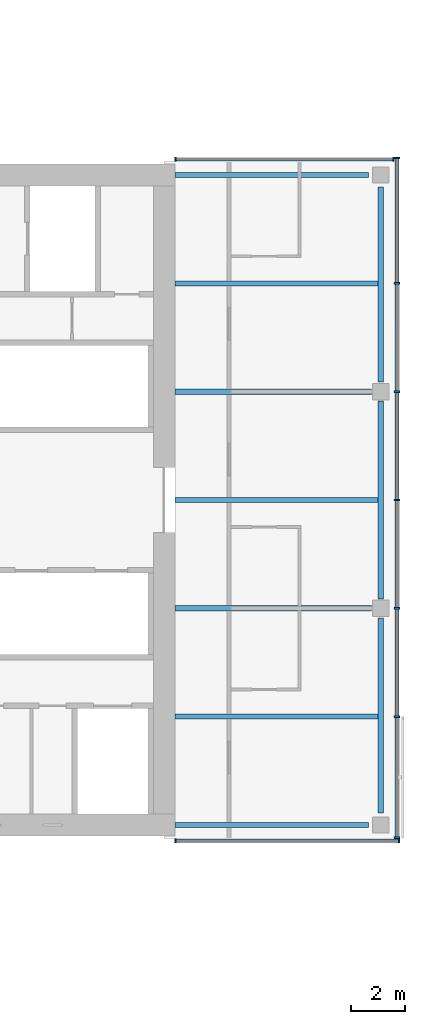
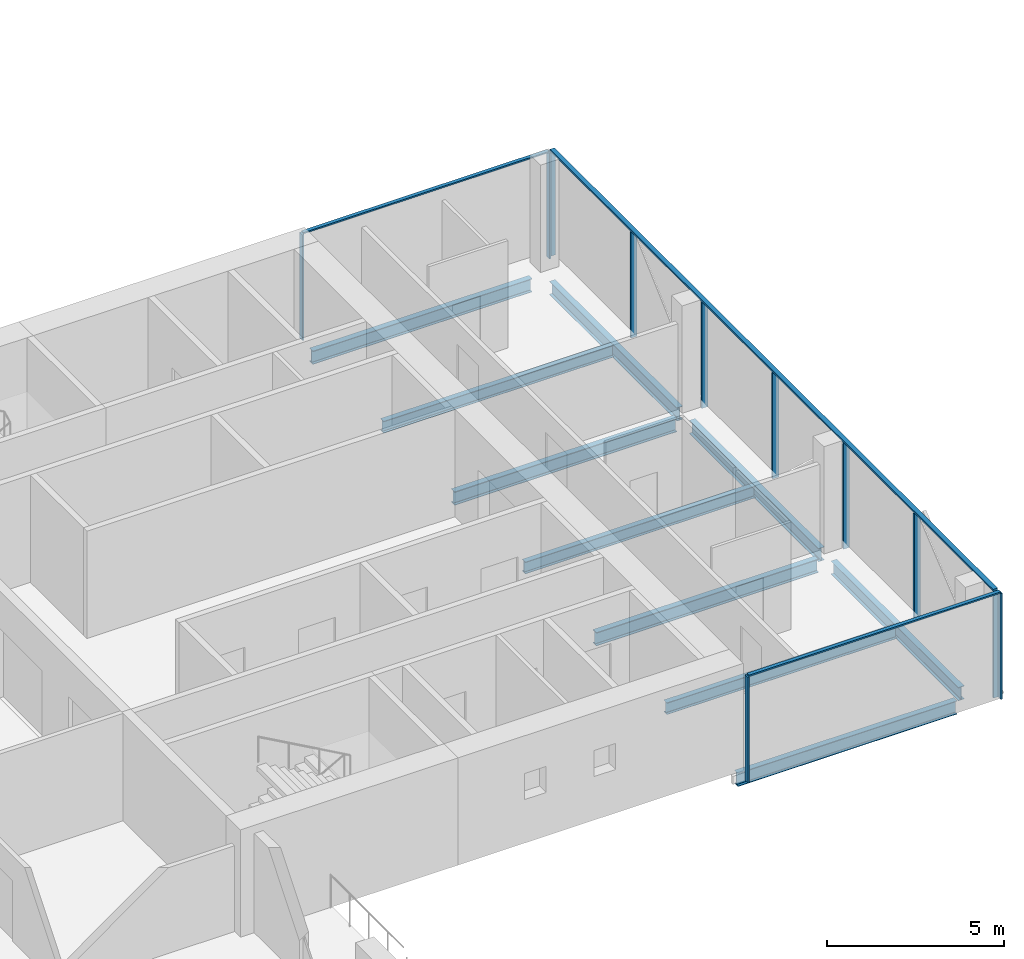
# One storey, part 10 of 25: 14 members, 10 beams, 3 elements without a shape of their own.
"""IFC4 building model written with IfcOpenShell, lengths in metres."""

from ifc_helpers import new_model, si_unit, direction, frame, origin, origin_2d, place, context, subcontext, project, spatial, rectangle, i_section, extrude, material, material_profile, profile_set, type_object, element, aggregate, save


model = new_model("IFC4")

# Units and contexts
model_context = context("Model", 3, precision=1e-05, world=origin(), true_north=direction((0.0, 1.0)))
body_context = subcontext(model_context, "Body", "Model", "MODEL_VIEW")
ifc_project = project(units=[si_unit("LENGTHUNIT", "METRE"), si_unit("AREAUNIT", "SQUARE_METRE"), si_unit("VOLUMEUNIT", "CUBIC_METRE"), si_unit("PLANEANGLEUNIT", "RADIAN"), si_unit("MASSUNIT", "GRAM", prefix="KILO")], contexts=[model_context])

# Site, building, storey
site_placement = place(None, origin())
site = spatial("IfcSite", under=ifc_project, at=site_placement, CompositionType="ELEMENT")
building_placement = place(site_placement, origin())
building = spatial("IfcBuilding", under=site, at=building_placement, Name="Crosswind Convention Tower", CompositionType="ELEMENT")
storey_placement = place(building_placement, frame((0.0, 0.0, 97.89990234375)))
storey = spatial("IfcBuildingStorey", under=building, at=storey_placement, Name="L19", CompositionType="ELEMENT", Elevation=97.89990234375)

# Beams
ifc_material_1 = material(Name="Steel S355", Category="steel")
ifc_material_profile_1 = material_profile(ifc_material_1, i_section(OverallWidth=0.1904296875, OverallDepth=0.457275390625, WebThickness=0.009033203125, FlangeThickness=0.014404296875, FilletRadius=0.01025390625, at=origin_2d()), Name="UB 457x191x75")
ifc_profile_set_1 = profile_set([ifc_material_profile_1], Name="Steel S355")
beam_type_1 = type_object("IfcBeamType", Name="Edge beam UB 457x191x75", PredefinedType="SPANDREL", material=ifc_profile_set_1)
for number, where, z_axis, x_axis, name in (
    (1, (153.39990234375, 88.0, -0.508544921875), (1.0, 0.0, 0.0), (0.0, 1.0, 0.0), "B17 L19 edge beam 24"),
    (2, (153.39990234375, 112.0, -0.508544921875), (1.0, 0.0, 0.0), (0.0, 1.0, 0.0), "B17 L19 edge beam 25"),
):
    element("IfcBeam", number, at=place(storey_placement, frame(where, z_axis=z_axis, x_axis=x_axis)), inside=storey, type_object=beam_type_1, Name=name, PredefinedType="SPANDREL", context=body_context, shape_type="SweptSolid", body=[
        extrude(i_section(OverallWidth=0.1904296875, OverallDepth=0.457275390625, WebThickness=0.009033203125, FlangeThickness=0.014404296875, FilletRadius=0.01025390625, at=origin_2d()), origin(), (0.0, 0.0, 1.0), 7.150146484375),
    ])
beam_1_placement = place(storey_placement, frame((161.0, 88.449951171875, -0.508544921875), z_axis=(0.0, 1.0, 0.0), x_axis=(-1.0, 0.0, 0.0)))
element("IfcBeam", 3, at=beam_1_placement, inside=storey, type_object=beam_type_1, Name="B17 L19 edge beam 26", PredefinedType="SPANDREL", context=body_context, shape_type="SweptSolid", body=[
    extrude(i_section(OverallWidth=0.1904296875, OverallDepth=0.457275390625, WebThickness=0.009033203125, FlangeThickness=0.014404296875, FilletRadius=0.01025390625, at=origin_2d()), origin(), (0.0, 0.0, 1.0), 7.199951171875),
])
beam_2_placement = place(storey_placement, frame((161.0, 96.35009765625, -0.508544921875), z_axis=(0.0, 1.0, 0.0), x_axis=(-1.0, 0.0, 0.0)))
element("IfcBeam", 4, at=beam_2_placement, inside=storey, type_object=beam_type_1, Name="B17 L19 edge beam 27", PredefinedType="SPANDREL", context=body_context, shape_type="SweptSolid", body=[
    extrude(i_section(OverallWidth=0.1904296875, OverallDepth=0.457275390625, WebThickness=0.009033203125, FlangeThickness=0.014404296875, FilletRadius=0.01025390625, at=origin_2d()), origin(), (0.0, 0.0, 1.0), 7.2998046875),
])
beam_3_placement = place(storey_placement, frame((161.0, 104.35009765625, -0.508544921875), z_axis=(0.0, 1.0, 0.0), x_axis=(-1.0, 0.0, 0.0)))
element("IfcBeam", 5, at=beam_3_placement, inside=storey, type_object=beam_type_1, Name="B17 L19 edge beam 28", PredefinedType="SPANDREL", context=body_context, shape_type="SweptSolid", body=[
    extrude(i_section(OverallWidth=0.1904296875, OverallDepth=0.457275390625, WebThickness=0.009033203125, FlangeThickness=0.014404296875, FilletRadius=0.01025390625, at=origin_2d()), origin(), (0.0, 0.0, 1.0), 7.199951171875),
])
ifc_material_profile_2 = material_profile(ifc_material_1, i_section(OverallWidth=0.19189453125, OverallDepth=0.463623046875, WebThickness=0.010498046875, FlangeThickness=0.017578125, FilletRadius=0.01025390625, at=origin_2d()), Name="UB 457x191x90")
ifc_profile_set_2 = profile_set([ifc_material_profile_2], Name="Steel S355")
beam_type_2 = type_object("IfcBeamType", Name="Girder at core wall UB 457x191x90", PredefinedType="BEAM", material=ifc_profile_set_2)
for number, where, z_axis, x_axis, name in (
    (6, (153.39990234375, 96.0, -0.51171875), (1.0, 0.0, 0.0), (0.0, 1.0, 0.0), "B24 L19 girder at core wall 11"),
    (7, (153.39990234375, 104.0, -0.51171875), (1.0, 0.0, 0.0), (0.0, 1.0, 0.0), "B24 L19 girder at core wall 12"),
):
    element("IfcBeam", number, at=place(storey_placement, frame(where, z_axis=z_axis, x_axis=x_axis)), inside=storey, type_object=beam_type_2, Name=name, PredefinedType="BEAM", context=body_context, shape_type="SweptSolid", body=[
        extrude(i_section(OverallWidth=0.19189453125, OverallDepth=0.463623046875, WebThickness=0.010498046875, FlangeThickness=0.017578125, FilletRadius=0.01025390625, at=origin_2d()), origin(), (0.0, 0.0, 1.0), 7.25),
    ])

# Curtain wall, members
ifc_material_2 = material(Name="Aluminium unitised curtain wall", Category="aluminium")
curtain_wall_type_1 = type_object("IfcCurtainWallType", Name="CORE END SLOT WALL 160", PredefinedType="USERDEFINED", material=ifc_material_2)
curtain_wall_1_placement = place(storey_placement, origin())
curtain_wall_1 = element("IfcCurtainWall", 8, at=curtain_wall_1_placement, inside=storey, type_object=curtain_wall_type_1, Name="CW6 L19 E-N.1-1 slot", ObjectType="UNITISED", PredefinedType="USERDEFINED")
ifc_material_3 = material(Name="Aluminium mullion", Category="aluminium")
ifc_material_profile_3 = material_profile(ifc_material_3, rectangle(XDim=0.159912109375, YDim=0.050048828125, at=origin_2d()), Name="AL 160X50")
ifc_profile_set_3 = profile_set([ifc_material_profile_3], Name="Aluminium mullion")
member_type_1 = type_object("IfcMemberType", Name="MULLION 50X160", PredefinedType="MULLION", material=ifc_profile_set_3)
member_1_placement = place(storey_placement, frame((161.47509765625, 112.580078125, -0.27978515625), z_axis=(0.0, 0.0, 1.0), x_axis=(0.0, 1.0, 0.0)))
member_1 = element("IfcMember", 9, at=member_1_placement, type_object=member_type_1, Name="CW6 mullion 1", PredefinedType="MULLION", context=body_context, shape_type="SweptSolid", body=[
    extrude(rectangle(XDim=0.159912109375, YDim=0.050048828125, at=origin_2d()), origin(), (0.0, 0.0, 1.0), 3.64990234375),
])
member_2_placement = place(storey_placement, frame((153.425048828125, 112.580078125, -0.27978515625), z_axis=(0.0, 0.0, 1.0), x_axis=(0.0, 1.0, 0.0)))
member_2 = element("IfcMember", 10, at=member_2_placement, type_object=member_type_1, Name="CW6 mullion 2", PredefinedType="MULLION", context=body_context, shape_type="SweptSolid", body=[
    extrude(rectangle(XDim=0.159912109375, YDim=0.050048828125, at=origin_2d()), origin(), (0.0, 0.0, 1.0), 3.64990234375),
])

curtain_wall_2_placement = place(storey_placement, origin())
curtain_wall_2 = element("IfcCurtainWall", 11, at=curtain_wall_2_placement, inside=storey, type_object=curtain_wall_type_1, Name="CW6 L19 E-S.2-1 slot", ObjectType="UNITISED", PredefinedType="USERDEFINED")
member_3_placement = place(storey_placement, frame((153.425048828125, 87.419921875, -0.27978515625), z_axis=(0.0, 0.0, 1.0), x_axis=(0.0, -1.0, 0.0)))
member_3 = element("IfcMember", 12, at=member_3_placement, type_object=member_type_1, Name="CW6 mullion 1", PredefinedType="MULLION", context=body_context, shape_type="SweptSolid", body=[
    extrude(rectangle(XDim=0.159912109375, YDim=0.050048828125, at=origin_2d()), origin(), (0.0, 0.0, 1.0), 3.64990234375),
])
member_4_placement = place(storey_placement, frame((161.675048828125, 87.419921875, -0.27978515625), z_axis=(0.0, 0.0, 1.0), x_axis=(0.0, -1.0, 0.0)))
member_4 = element("IfcMember", 13, at=member_4_placement, type_object=member_type_1, Name="CW6 mullion 2", PredefinedType="MULLION", context=body_context, shape_type="SweptSolid", body=[
    extrude(rectangle(XDim=0.159912109375, YDim=0.050048828125, at=origin_2d()), origin(), (0.0, 0.0, 1.0), 3.64990234375),
])

curtain_wall_type_2 = type_object("IfcCurtainWallType", Name="HOTEL UNITISED WALL 200", PredefinedType="USERDEFINED", material=ifc_material_2)
curtain_wall_3_placement = place(storey_placement, origin())
curtain_wall_3 = element("IfcCurtainWall", 14, at=curtain_wall_3_placement, inside=storey, type_object=curtain_wall_type_2, Name="CW2 L19 E-TIP 1", ObjectType="UNITISED", PredefinedType="USERDEFINED")
ifc_material_profile_4 = material_profile(ifc_material_3, rectangle(XDim=0.199951171875, YDim=0.06494140625, at=origin_2d()), Name="AL 200X65")
ifc_profile_set_4 = profile_set([ifc_material_profile_4], Name="Aluminium mullion")
member_type_2 = type_object("IfcMemberType", Name="MULLION 65X200", PredefinedType="MULLION", material=ifc_profile_set_4)
member_5_placement = place(storey_placement, frame((161.60009765625, 87.532470703125, -0.27978515625), z_axis=(0.0, 0.0, 1.0), x_axis=(1.0, 0.0, 0.0)))
member_5 = element("IfcMember", 15, at=member_5_placement, type_object=member_type_2, Name="CW2 mullion 1", PredefinedType="MULLION", context=body_context, shape_type="SweptSolid", body=[
    extrude(rectangle(XDim=0.199951171875, YDim=0.06494140625, at=origin_2d()), origin(), (0.0, 0.0, 1.0), 3.634765625),
])
member_6_placement = place(storey_placement, frame((161.60009765625, 92.0, -0.27978515625), z_axis=(0.0, 0.0, 1.0), x_axis=(1.0, 0.0, 0.0)))
member_6 = element("IfcMember", 16, at=member_6_placement, type_object=member_type_2, Name="CW2 mullion 2", PredefinedType="MULLION", context=body_context, shape_type="SweptSolid", body=[
    extrude(rectangle(XDim=0.199951171875, YDim=0.06494140625, at=origin_2d()), origin(), (0.0, 0.0, 1.0), 3.634765625),
])
member_7_placement = place(storey_placement, frame((161.60009765625, 96.0, -0.27978515625), z_axis=(0.0, 0.0, 1.0), x_axis=(1.0, 0.0, 0.0)))
member_7 = element("IfcMember", 17, at=member_7_placement, type_object=member_type_2, Name="CW2 mullion 3", PredefinedType="MULLION", context=body_context, shape_type="SweptSolid", body=[
    extrude(rectangle(XDim=0.199951171875, YDim=0.06494140625, at=origin_2d()), origin(), (0.0, 0.0, 1.0), 3.634765625),
])
member_8_placement = place(storey_placement, frame((161.60009765625, 100.0, -0.27978515625), z_axis=(0.0, 0.0, 1.0), x_axis=(1.0, 0.0, 0.0)))
member_8 = element("IfcMember", 18, at=member_8_placement, type_object=member_type_2, Name="CW2 mullion 4", PredefinedType="MULLION", context=body_context, shape_type="SweptSolid", body=[
    extrude(rectangle(XDim=0.199951171875, YDim=0.06494140625, at=origin_2d()), origin(), (0.0, 0.0, 1.0), 3.634765625),
])
member_9_placement = place(storey_placement, frame((161.60009765625, 104.0, -0.27978515625), z_axis=(0.0, 0.0, 1.0), x_axis=(1.0, 0.0, 0.0)))
member_9 = element("IfcMember", 19, at=member_9_placement, type_object=member_type_2, Name="CW2 mullion 5", PredefinedType="MULLION", context=body_context, shape_type="SweptSolid", body=[
    extrude(rectangle(XDim=0.199951171875, YDim=0.06494140625, at=origin_2d()), origin(), (0.0, 0.0, 1.0), 3.634765625),
])
member_10_placement = place(storey_placement, frame((161.60009765625, 108.0, -0.27978515625), z_axis=(0.0, 0.0, 1.0), x_axis=(1.0, 0.0, 0.0)))
member_10 = element("IfcMember", 20, at=member_10_placement, type_object=member_type_2, Name="CW2 mullion 6", PredefinedType="MULLION", context=body_context, shape_type="SweptSolid", body=[
    extrude(rectangle(XDim=0.199951171875, YDim=0.06494140625, at=origin_2d()), origin(), (0.0, 0.0, 1.0), 3.634765625),
])
member_11_placement = place(storey_placement, frame((161.60009765625, 112.62744140625, -0.27978515625), z_axis=(0.0, 0.0, 1.0), x_axis=(1.0, 0.0, 0.0)))
member_11 = element("IfcMember", 21, at=member_11_placement, type_object=member_type_2, Name="CW2 mullion 7", PredefinedType="MULLION", context=body_context, shape_type="SweptSolid", body=[
    extrude(rectangle(XDim=0.199951171875, YDim=0.06494140625, at=origin_2d()), origin(), (0.0, 0.0, 1.0), 3.634765625),
])

# Beams
ifc_material_profile_5 = material_profile(ifc_material_1, i_section(OverallWidth=0.177734375, OverallDepth=0.406494140625, WebThickness=0.0078125, FlangeThickness=0.0126953125, FilletRadius=0.01025390625, at=origin_2d()), Name="UB 406x178x60")
ifc_profile_set_5 = profile_set([ifc_material_profile_5], Name="Steel S355")
beam_type_3 = type_object("IfcBeamType", Name="Secondary beam UB 406x178x60", PredefinedType="JOIST", material=ifc_profile_set_5)
for number, where, z_axis, x_axis, name in (
    (22, (153.39990234375, 92.0, -0.483154296875), (1.0, 0.0, 0.0), (0.0, 1.0, 0.0), "B10 L19 secondary beam 31"),
    (23, (153.39990234375, 100.0, -0.483154296875), (1.0, 0.0, 0.0), (0.0, 1.0, 0.0), "B10 L19 secondary beam 32"),
    (24, (153.39990234375, 108.0, -0.483154296875), (1.0, 0.0, 0.0), (0.0, 1.0, 0.0), "B10 L19 secondary beam 33"),
):
    element("IfcBeam", number, at=place(storey_placement, frame(where, z_axis=z_axis, x_axis=x_axis)), inside=storey, type_object=beam_type_3, Name=name, PredefinedType="JOIST", context=body_context, shape_type="SweptSolid", body=[
        extrude(i_section(OverallWidth=0.177734375, OverallDepth=0.406494140625, WebThickness=0.0078125, FlangeThickness=0.0126953125, FilletRadius=0.01025390625, at=origin_2d()), origin(), (0.0, 0.0, 1.0), 7.5048828125),
    ])

# Member
ifc_material_4 = material(Name="Aluminium transom", Category="aluminium")
ifc_material_profile_6 = material_profile(ifc_material_4, rectangle(XDim=0.1201171875, YDim=0.050048828125, at=origin_2d()), Name="AL 120X50")
ifc_profile_set_6 = profile_set([ifc_material_profile_6], Name="Aluminium transom")
member_type_3 = type_object("IfcMemberType", Name="TRANSOM 50X120", PredefinedType="USERDEFINED", material=ifc_profile_set_6)
member_12_placement = place(storey_placement, frame((161.449951171875, 112.580078125, 3.39501953125), z_axis=(-1.0, 0.0, 0.0), x_axis=(0.0, -1.0, 0.0)))
member_12 = element("IfcMember", 25, at=member_12_placement, type_object=member_type_3, Name="CW6 transom", ObjectType="TRANSOM", PredefinedType="USERDEFINED", context=body_context, shape_type="SweptSolid", body=[
    extrude(rectangle(XDim=0.1201171875, YDim=0.050048828125, at=origin_2d()), origin(), (0.0, 0.0, 1.0), 8.0),
])

aggregate(curtain_wall_1, [member_1, member_2, member_12])

member_13_placement = place(storey_placement, frame((153.449951171875, 87.419921875, 3.39501953125), z_axis=(1.0, 0.0, 0.0), x_axis=(0.0, 1.0, 0.0)))
member_13 = element("IfcMember", 26, at=member_13_placement, type_object=member_type_3, Name="CW6 transom", ObjectType="TRANSOM", PredefinedType="USERDEFINED", context=body_context, shape_type="SweptSolid", body=[
    extrude(rectangle(XDim=0.1201171875, YDim=0.050048828125, at=origin_2d()), origin(), (0.0, 0.0, 1.0), 8.199951171875),
])

aggregate(curtain_wall_2, [member_3, member_4, member_13])

ifc_material_profile_7 = material_profile(ifc_material_4, rectangle(XDim=0.14990234375, YDim=0.06494140625, at=origin_2d()), Name="AL 150X65")
ifc_profile_set_7 = profile_set([ifc_material_profile_7], Name="Aluminium transom")
member_type_4 = type_object("IfcMemberType", Name="TRANSOM 65X150", PredefinedType="USERDEFINED", material=ifc_profile_set_7)
member_14_placement = place(storey_placement, frame((161.60009765625, 87.56494140625, 3.3876953125), z_axis=(0.0, 1.0, 0.0), x_axis=(-1.0, 0.0, 0.0)))
member_14 = element("IfcMember", 27, at=member_14_placement, type_object=member_type_4, Name="CW2 transom", ObjectType="TRANSOM", PredefinedType="USERDEFINED", context=body_context, shape_type="SweptSolid", body=[
    extrude(rectangle(XDim=0.14990234375, YDim=0.06494140625, at=origin_2d()), origin(), (0.0, 0.0, 1.0), 25.030029296875),
])

aggregate(curtain_wall_3, [member_5, member_6, member_7, member_8, member_9, member_10, member_11, member_14])

save(model, "model.ifc")
